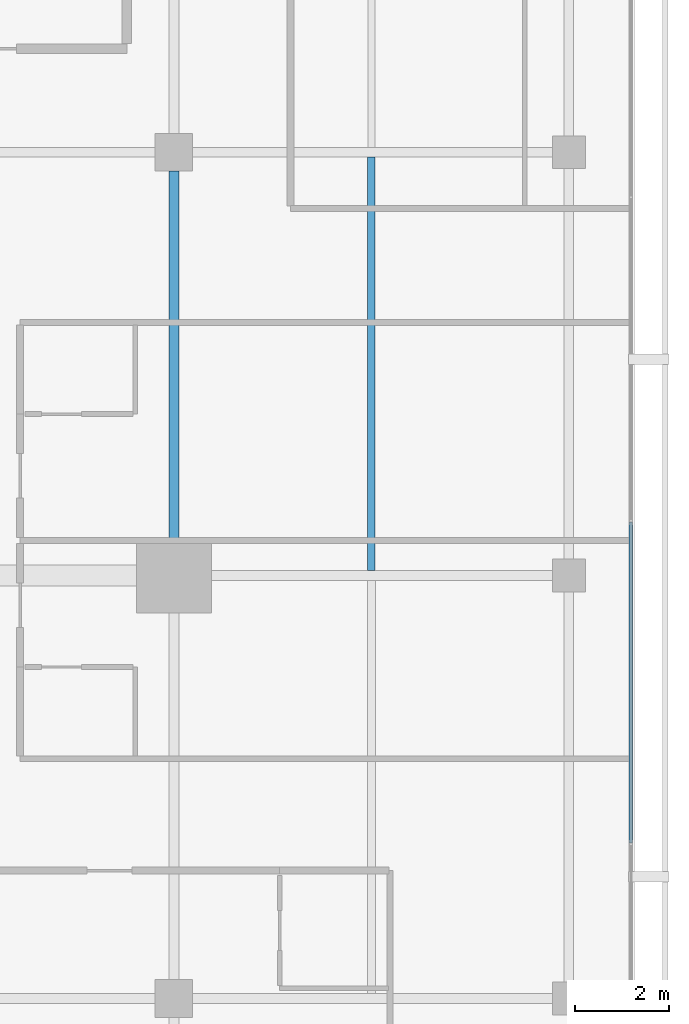
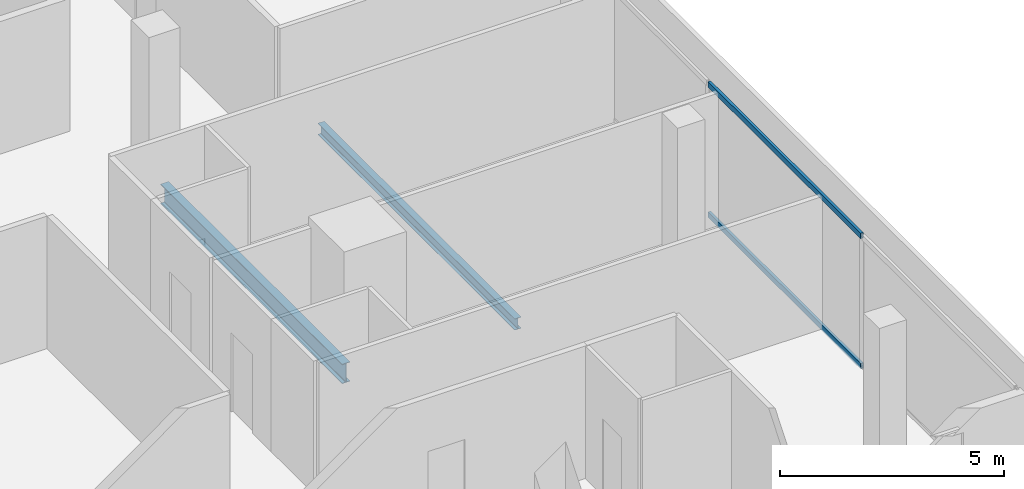
# One storey, part 13 of 25: 2 beams, 2 members, 1 element without a shape of its own.
"""IFC4 building model written with IfcOpenShell, lengths in metres."""

from ifc_helpers import new_model, si_unit, direction, frame, origin, origin_2d, place, context, subcontext, project, spatial, hollow_rectangle, i_section, extrude, material, layer, layer_set, material_profile, profile_set, type_object, element, aggregate, save


model = new_model("IFC4")

# Units and contexts
model_context = context("Model", 3, precision=1e-05, world=origin(), true_north=direction((0.0, 1.0)))
body_context = subcontext(model_context, "Body", "Model", "MODEL_VIEW")
ifc_project = project(units=[si_unit("LENGTHUNIT", "METRE"), si_unit("AREAUNIT", "SQUARE_METRE"), si_unit("VOLUMEUNIT", "CUBIC_METRE"), si_unit("PLANEANGLEUNIT", "RADIAN"), si_unit("MASSUNIT", "GRAM", prefix="KILO")], contexts=[model_context])

# Site, building, storey
site_placement = place(None, origin())
site = spatial("IfcSite", under=ifc_project, at=site_placement, CompositionType="ELEMENT")
building_placement = place(site_placement, origin())
building = spatial("IfcBuilding", under=site, at=building_placement, Name="Maruvema Waterfront Hotel and Observation Tower", CompositionType="ELEMENT")
storey_placement = place(building_placement, frame((0.0, 0.0, 274.050048828125)))
storey = spatial("IfcBuildingStorey", under=building, at=storey_placement, Name="L67", CompositionType="ELEMENT", Elevation=274.050048828125)

# Curtain wall, members
ifc_material_1 = material(Name="Anodised bronze aluminium and solar-control low-E IGU", Category="aluminium")
ifc_layer = layer(ifc_material_1, 0.159912109375, Name="Zone 3 Champagne Inner Thermal Curtain Wall System CW-04")
ifc_layer_set = layer_set([ifc_layer], Name="Anodised bronze aluminium and solar-control low-E IGU")
curtain_wall_type = type_object("IfcCurtainWallType", Name="Zone 3 Champagne Inner Thermal Curtain Wall System CW-04", PredefinedType="USERDEFINED", material=ifc_layer_set)
curtain_wall_placement = place(storey_placement, origin())
curtain_wall = element("IfcCurtainWall", 1, at=curtain_wall_placement, inside=storey, type_object=curtain_wall_type, Name="L67 Curtain Wall CW-L67-E", ObjectType="UNITISED CURTAIN WALL", PredefinedType="USERDEFINED")
ifc_material_2 = material(Name="Anodised architectural bronze aluminium", Category="aluminium")
ifc_material_profile_1 = material_profile(ifc_material_2, hollow_rectangle(XDim=0.070068359375, YDim=0.14990234375, WallThickness=0.00390625, at=origin_2d()), Name="ALU-T70x150")
ifc_profile_set_1 = profile_set([ifc_material_profile_1], Name="Anodised architectural bronze aluminium")
member_type = type_object("IfcMemberType", Name="Curtain Wall Horizontal Transom ALU-T70x150", PredefinedType="USERDEFINED", material=ifc_profile_set_1)
member_1_placement = place(storey_placement, frame((60.1201171875, 21.31005859375, 0.030029296875), z_axis=(0.0, 1.0, 0.0), x_axis=(-1.0, 0.0, 0.0)))
member_1 = element("IfcMember", 2, at=member_1_placement, type_object=member_type, Name="CW-04 transom 2.1", ObjectType="TRANSOM", PredefinedType="USERDEFINED", context=body_context, shape_type="SweptSolid", body=[
    extrude(hollow_rectangle(XDim=0.070068359375, YDim=0.14990234375, WallThickness=0.00390625, at=origin_2d()), origin(), (0.0, 0.0, 1.0), 6.81982421875),
])
member_2_placement = place(storey_placement, frame((60.1201171875, 21.31005859375, 3.579833984375), z_axis=(0.0, 1.0, 0.0), x_axis=(-1.0, 0.0, 0.0)))
member_2 = element("IfcMember", 3, at=member_2_placement, type_object=member_type, Name="CW-04 transom 2.2", ObjectType="TRANSOM", PredefinedType="USERDEFINED", context=body_context, shape_type="SweptSolid", body=[
    extrude(hollow_rectangle(XDim=0.070068359375, YDim=0.14990234375, WallThickness=0.00390625, at=origin_2d()), origin(), (0.0, 0.0, 1.0), 6.81982421875),
])
aggregate(curtain_wall, [member_1, member_2])

# Beams
ifc_material_3 = material(Name="Steel ASTM A572 Grade 50", Category="steel")
ifc_material_profile_2 = material_profile(ifc_material_3, i_section(OverallWidth=0.208984375, OverallDepth=0.532958984375, WebThickness=0.01025390625, FlangeThickness=0.015625, FilletRadius=0.014892578125, at=origin_2d()), Name="W530x92.0")
ifc_profile_set_2 = profile_set([ifc_material_profile_2], Name="Steel ASTM A572 Grade 50")
beam_type_1 = type_object("IfcBeamType", Name="Primary Floor Girder W530x92.0", PredefinedType="BEAM", material=ifc_profile_set_2)
beam_1_placement = place(storey_placement, frame((50.39990234375, 27.5, -0.506591796875), z_axis=(0.0, 1.0, 0.0), x_axis=(-1.0, 0.0, 0.0)))
element("IfcBeam", 4, at=beam_1_placement, inside=storey, type_object=beam_type_1, Name="L67 Floor Girder NS-14", PredefinedType="BEAM", context=body_context, shape_type="SweptSolid", body=[
    extrude(i_section(OverallWidth=0.208984375, OverallDepth=0.532958984375, WebThickness=0.01025390625, FlangeThickness=0.015625, FilletRadius=0.014892578125, at=origin_2d()), origin(), (0.0, 0.0, 1.0), 8.10009765625),
])
ifc_material_4 = material(Name="Steel ASTM A572 Grade 50", Category="steel")
ifc_material_profile_3 = material_profile(ifc_material_4, i_section(OverallWidth=0.1650390625, OverallDepth=0.31005859375, WebThickness=0.005859375, FlangeThickness=0.009765625, FilletRadius=0.012939453125, at=origin_2d()), Name="W310x38.7")
ifc_profile_set_3 = profile_set([ifc_material_profile_3], Name="Steel ASTM A572 Grade 50")
beam_type_2 = type_object("IfcBeamType", Name="Secondary Floor Joist W310x38.7", PredefinedType="JOIST", material=ifc_profile_set_3)
beam_2_placement = place(storey_placement, frame((54.60009765625, 27.1044921875, -0.39501953125), z_axis=(0.0, 1.0, 0.0), x_axis=(-1.0, 0.0, 0.0)))
element("IfcBeam", 5, at=beam_2_placement, inside=storey, type_object=beam_type_2, Name="L67 Secondary Floor Joist JS-08", PredefinedType="JOIST", context=body_context, shape_type="SweptSolid", body=[
    extrude(i_section(OverallWidth=0.1650390625, OverallDepth=0.31005859375, WebThickness=0.005859375, FlangeThickness=0.009765625, FilletRadius=0.012939453125, at=origin_2d()), origin(), (0.0, 0.0, 1.0), 8.791015625),
])

save(model, "model.ifc")
